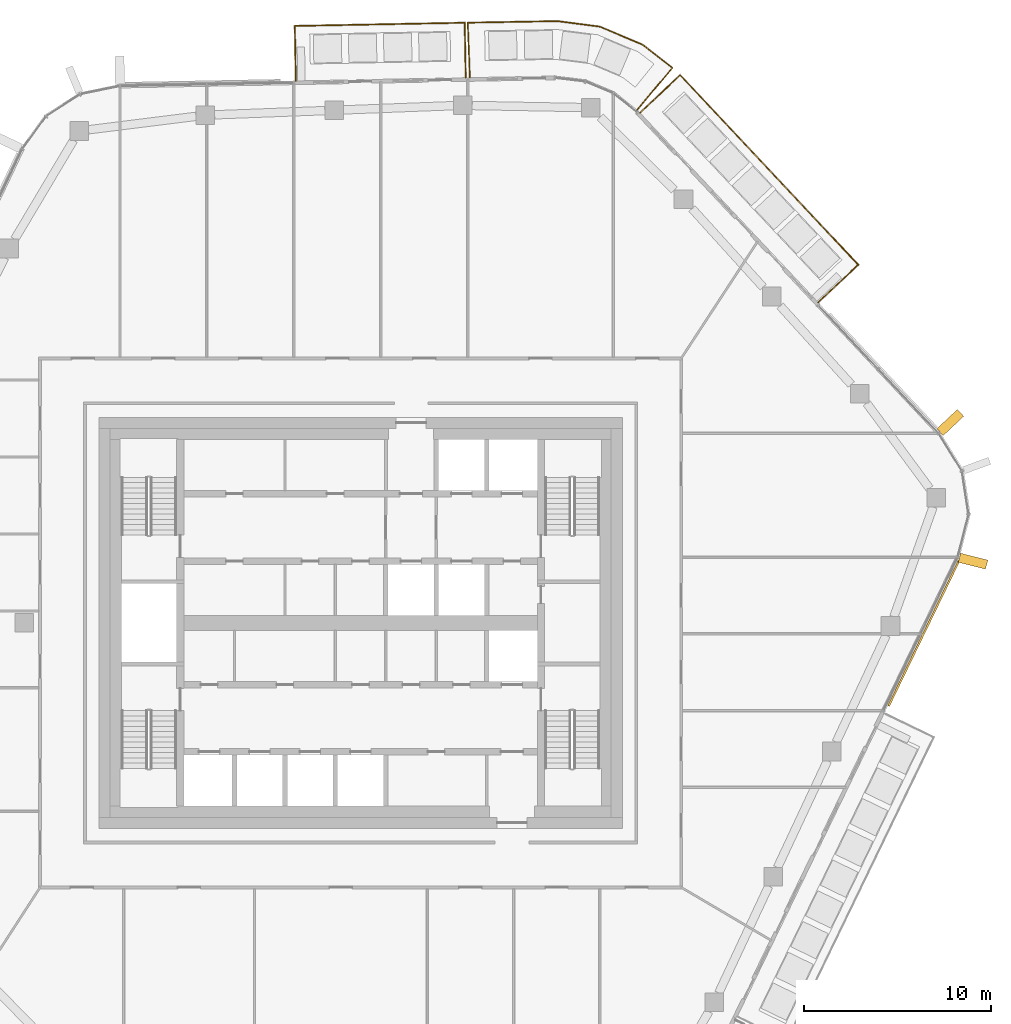
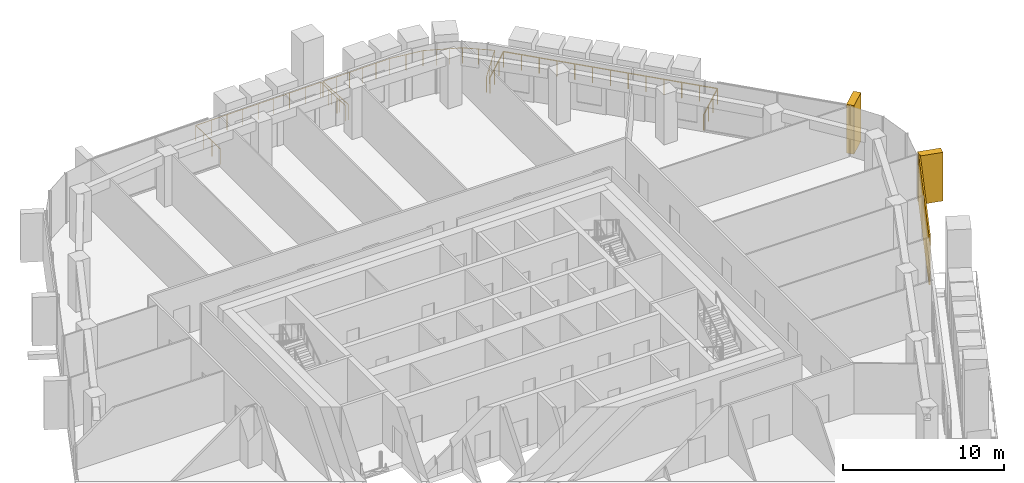
# One storey, part 24 of 24: 3 coverings, 3 railings, 3 elements without a shape of their own.
"""IFC4 building model written with IfcOpenShell, lengths in metres."""

from ifc_helpers import new_model, si_unit, direction, frame, origin, origin_2d, place, context, subcontext, project, spatial, rectangle, circle, extrude, material, layer, layer_set, material_profile, profile_set, type_object, element, aggregate, save


model = new_model("IFC4")

# Units and contexts
model_context = context("Model", 3, precision=1e-05, world=origin(), true_north=direction((0.0, 1.0)))
body_context = subcontext(model_context, "Body", "Model", "MODEL_VIEW")
ifc_project = project(units=[si_unit("LENGTHUNIT", "METRE"), si_unit("AREAUNIT", "SQUARE_METRE"), si_unit("VOLUMEUNIT", "CUBIC_METRE"), si_unit("PLANEANGLEUNIT", "RADIAN"), si_unit("MASSUNIT", "GRAM", prefix="KILO")], contexts=[model_context])

# Site, building, storey
site_placement = place(None, origin())
site = spatial("IfcSite", under=ifc_project, at=site_placement, CompositionType="ELEMENT")
building_placement = place(site_placement, origin())
building = spatial("IfcBuilding", under=site, at=building_placement, Name="Dongbaek Canopy Tower", CompositionType="ELEMENT")
storey_placement = place(building_placement, frame((0.0, 0.0, 302.60009765625)))
storey = spatial("IfcBuildingStorey", under=building, at=storey_placement, Name="L64", CompositionType="ELEMENT", Elevation=302.60009765625)

# Railings
ifc_material_1 = material(Name="Stainless steel", Category="steel")
railing_type = type_object("IfcRailingType", Name="Balcony balustrade 1200", PredefinedType="BALUSTRADE", material=ifc_material_1)
railing_1_placement = place(storey_placement, frame((24.47998046875, 17.14892578125, 0.0)))
element("IfcRailing", 1, at=railing_1_placement, inside=storey, type_object=railing_type, Name="Balcony guard L64 1", PredefinedType="BALUSTRADE", context=body_context, shape_type="SweptSolid", body=[
    extrude(circle(Radius=0.02392578125, at=origin_2d()), frame((0.0, 0.0, 1.17578125), z_axis=(0.728728771938, 0.684802436437, 0.0), x_axis=(-0.684802436437, 0.728728771938, 0.0)), (0.0, 0.0, 1.0), 2.940185546875),
    extrude(circle(Radius=0.02392578125, at=origin_2d()), frame((2.142578125, 2.013427734375, 1.17578125), z_axis=(-0.684839226649, 0.728694197618, 0.0), x_axis=(-0.728694197618, -0.684839226649, 0.0)), (0.0, 0.0, 1.0), 13.91748046875),
    extrude(circle(Radius=0.02392578125, at=origin_2d()), frame((-7.388671875, 12.155029296875, 1.17578125), z_axis=(-0.728731270037, -0.684799778088, 0.0), x_axis=(0.684799778088, -0.728731270037, 0.0)), (0.0, 0.0, 1.0), 2.939697265625),
    extrude(circle(Radius=0.02099609375, at=origin_2d()), origin(), (0.0, 0.0, 1.0), 1.15185546875),
    extrude(circle(Radius=0.02099609375, at=origin_2d()), frame((0.714111328125, 0.671142578125, 0.0)), (0.0, 0.0, 1.0), 1.15185546875),
    extrude(circle(Radius=0.02099609375, at=origin_2d()), frame((1.428466796875, 1.34228515625, 0.0)), (0.0, 0.0, 1.0), 1.15185546875),
    extrude(circle(Radius=0.02099609375, at=origin_2d()), frame((2.142578125, 2.013427734375, 0.0)), (0.0, 0.0, 1.0), 1.15185546875),
    extrude(circle(Radius=0.02099609375, at=origin_2d()), frame((1.348388671875, 2.858642578125, 0.0)), (0.0, 0.0, 1.0), 1.15185546875),
    extrude(circle(Radius=0.02099609375, at=origin_2d()), frame((0.553955078125, 3.70361328125, 0.0)), (0.0, 0.0, 1.0), 1.15185546875),
    extrude(circle(Radius=0.02099609375, at=origin_2d()), frame((-0.240234375, 4.548828125, 0.0)), (0.0, 0.0, 1.0), 1.15185546875),
    extrude(circle(Radius=0.02099609375, at=origin_2d()), frame((-1.034423828125, 5.39404296875, 0.0)), (0.0, 0.0, 1.0), 1.15185546875),
    extrude(circle(Radius=0.02099609375, at=origin_2d()), frame((-1.828857421875, 6.239013671875, 0.0)), (0.0, 0.0, 1.0), 1.15185546875),
    extrude(circle(Radius=0.02099609375, at=origin_2d()), frame((-2.623046875, 7.084228515625, 0.0)), (0.0, 0.0, 1.0), 1.15185546875),
    extrude(circle(Radius=0.02099609375, at=origin_2d()), frame((-3.417236328125, 7.929443359375, 0.0)), (0.0, 0.0, 1.0), 1.15185546875),
    extrude(circle(Radius=0.02099609375, at=origin_2d()), frame((-4.211669921875, 8.7744140625, 0.0)), (0.0, 0.0, 1.0), 1.15185546875),
    extrude(circle(Radius=0.02099609375, at=origin_2d()), frame((-5.005859375, 9.61962890625, 0.0)), (0.0, 0.0, 1.0), 1.15185546875),
    extrude(circle(Radius=0.02099609375, at=origin_2d()), frame((-5.800048828125, 10.46484375, 0.0)), (0.0, 0.0, 1.0), 1.15185546875),
    extrude(circle(Radius=0.02099609375, at=origin_2d()), frame((-6.594482421875, 11.309814453125, 0.0)), (0.0, 0.0, 1.0), 1.15185546875),
    extrude(circle(Radius=0.02099609375, at=origin_2d()), frame((-7.388671875, 12.155029296875, 0.0)), (0.0, 0.0, 1.0), 1.15185546875),
    extrude(circle(Radius=0.02099609375, at=origin_2d()), frame((-8.102783203125, 11.48388671875, 0.0)), (0.0, 0.0, 1.0), 1.15185546875),
    extrude(circle(Radius=0.02099609375, at=origin_2d()), frame((-8.81689453125, 10.81298828125, 0.0)), (0.0, 0.0, 1.0), 1.15185546875),
    extrude(circle(Radius=0.02099609375, at=origin_2d()), frame((-9.531005859375, 10.141845703125, 0.0)), (0.0, 0.0, 1.0), 1.15185546875),
])
railing_2_placement = place(storey_placement, frame((5.623046875, 29.170654296875, 0.0)))
element("IfcRailing", 2, at=railing_2_placement, inside=storey, type_object=railing_type, Name="Balcony guard L64 2", PredefinedType="BALUSTRADE", context=body_context, shape_type="SweptSolid", body=[
    extrude(circle(Radius=0.02392578125, at=origin_2d()), frame((0.0, 0.0, 1.17578125), z_axis=(-0.018933482557, 0.999820745553, 0.0), x_axis=(-0.999820745553, -0.018933482557, 0.0)), (0.0, 0.0, 1.0), 2.93994140625),
    extrude(circle(Radius=0.02392578125, at=origin_2d()), frame((-0.0556640625, 2.939453125, 1.17578125), z_axis=(-0.999821282881, -0.018905086569, 0.0), x_axis=(0.018905086569, -0.999821282881, 0.0)), (0.0, 0.0, 1.0), 9.091552734375),
    extrude(circle(Radius=0.02392578125, at=origin_2d()), frame((-9.1455078125, 2.767578125, 1.17578125), z_axis=(0.018933482557, -0.999820745553, 0.0), x_axis=(0.999820745553, 0.018933482557, 0.0)), (0.0, 0.0, 1.0), 2.93994140625),
    extrude(circle(Radius=0.02099609375, at=origin_2d()), origin(), (0.0, 0.0, 1.0), 1.15185546875),
    extrude(circle(Radius=0.02099609375, at=origin_2d()), frame((-0.0185546875, 0.979736328125, 0.0)), (0.0, 0.0, 1.0), 1.15185546875),
    extrude(circle(Radius=0.02099609375, at=origin_2d()), frame((-0.037109375, 1.959716796875, 0.0)), (0.0, 0.0, 1.0), 1.15185546875),
    extrude(circle(Radius=0.02099609375, at=origin_2d()), frame((-0.0556640625, 2.939453125, 0.0)), (0.0, 0.0, 1.0), 1.15185546875),
    extrude(circle(Radius=0.02099609375, at=origin_2d()), frame((-1.19189453125, 2.91796875, 0.0)), (0.0, 0.0, 1.0), 1.15185546875),
    extrude(circle(Radius=0.02099609375, at=origin_2d()), frame((-2.328125, 2.896484375, 0.0)), (0.0, 0.0, 1.0), 1.15185546875),
    extrude(circle(Radius=0.02099609375, at=origin_2d()), frame((-3.46435546875, 2.875, 0.0)), (0.0, 0.0, 1.0), 1.15185546875),
    extrude(circle(Radius=0.02099609375, at=origin_2d()), frame((-4.6005859375, 2.853515625, 0.0)), (0.0, 0.0, 1.0), 1.15185546875),
    extrude(circle(Radius=0.02099609375, at=origin_2d()), frame((-5.73681640625, 2.83203125, 0.0)), (0.0, 0.0, 1.0), 1.15185546875),
    extrude(circle(Radius=0.02099609375, at=origin_2d()), frame((-6.873046875, 2.810546875, 0.0)), (0.0, 0.0, 1.0), 1.15185546875),
    extrude(circle(Radius=0.02099609375, at=origin_2d()), frame((-8.00927734375, 2.7890625, 0.0)), (0.0, 0.0, 1.0), 1.15185546875),
    extrude(circle(Radius=0.02099609375, at=origin_2d()), frame((-9.1455078125, 2.767578125, 0.0)), (0.0, 0.0, 1.0), 1.15185546875),
    extrude(circle(Radius=0.02099609375, at=origin_2d()), frame((-9.126953125, 1.787841796875, 0.0)), (0.0, 0.0, 1.0), 1.15185546875),
    extrude(circle(Radius=0.02099609375, at=origin_2d()), frame((-9.1083984375, 0.807861328125, 0.0)), (0.0, 0.0, 1.0), 1.15185546875),
    extrude(circle(Radius=0.02099609375, at=origin_2d()), frame((-9.08984375, -0.171875, 0.0)), (0.0, 0.0, 1.0), 1.15185546875),
])
railing_3_placement = place(storey_placement, frame((14.787841796875, 27.439697265625, 0.0)))
element("IfcRailing", 3, at=railing_3_placement, inside=storey, type_object=railing_type, Name="Balcony guard L64 6", PredefinedType="BALUSTRADE", context=body_context, shape_type="SweptSolid", body=[
    extrude(circle(Radius=0.02392578125, at=origin_2d()), frame((0.0, 0.0, 1.17578125), z_axis=(0.642411003092, 0.766360295883, 0.0), x_axis=(-0.766360295883, 0.642411003092, 0.0)), (0.0, 0.0, 1.0), 2.940673828125),
    extrude(circle(Radius=0.02392578125, at=origin_2d()), frame((1.88916015625, 2.253662109375, 1.17578125), z_axis=(-0.788090218585, 0.615559751259, 0.0), x_axis=(-0.615559751259, -0.788090218585, 0.0)), (0.0, 0.0, 1.0), 2.0234375),
    extrude(circle(Radius=0.02392578125, at=origin_2d()), frame((0.29443359375, 3.499267578125, 1.17578125), z_axis=(-0.921550156042, 0.388259333306, 0.0), x_axis=(-0.388259333306, -0.921550156042, 0.0)), (0.0, 0.0, 1.0), 2.481201171875),
    extrude(circle(Radius=0.02392578125, at=origin_2d()), frame((-1.9921875, 4.462646484375, 1.17578125), z_axis=(-0.991597422728, 0.129362093518, 0.0), x_axis=(-0.129362093518, -0.991597422728, 0.0)), (0.0, 0.0, 1.0), 2.27783203125),
    extrude(circle(Radius=0.02392578125, at=origin_2d()), frame((-4.2509765625, 4.75732421875, 1.17578125), z_axis=(-0.999848444694, -0.017409412484, 0.0), x_axis=(0.017409412484, -0.999848444694, 0.0)), (0.0, 0.0, 1.0), 4.81005859375),
    extrude(circle(Radius=0.02392578125, at=origin_2d()), frame((-9.060302734375, 4.673583984375, 1.17578125), z_axis=(0.039268459081, -0.999228696606, 0.0), x_axis=(0.999228696606, 0.039268459081, 0.0)), (0.0, 0.0, 1.0), 2.940673828125),
    extrude(circle(Radius=0.02099609375, at=origin_2d()), origin(), (0.0, 0.0, 1.0), 1.15185546875),
    extrude(circle(Radius=0.02099609375, at=origin_2d()), frame((0.629638671875, 0.751220703125, 0.0)), (0.0, 0.0, 1.0), 1.15185546875),
    extrude(circle(Radius=0.02099609375, at=origin_2d()), frame((1.259521484375, 1.50244140625, 0.0)), (0.0, 0.0, 1.0), 1.15185546875),
    extrude(circle(Radius=0.02099609375, at=origin_2d()), frame((1.88916015625, 2.253662109375, 0.0)), (0.0, 0.0, 1.0), 1.15185546875),
    extrude(circle(Radius=0.02099609375, at=origin_2d()), frame((1.091796875, 2.87646484375, 0.0)), (0.0, 0.0, 1.0), 1.15185546875),
    extrude(circle(Radius=0.02099609375, at=origin_2d()), frame((0.29443359375, 3.499267578125, 0.0)), (0.0, 0.0, 1.0), 1.15185546875),
    extrude(circle(Radius=0.02099609375, at=origin_2d()), frame((-0.4677734375, 3.8203125, 0.0)), (0.0, 0.0, 1.0), 1.15185546875),
    extrude(circle(Radius=0.02099609375, at=origin_2d()), frame((-1.22998046875, 4.1416015625, 0.0)), (0.0, 0.0, 1.0), 1.15185546875),
    extrude(circle(Radius=0.02099609375, at=origin_2d()), frame((-1.9921875, 4.462646484375, 0.0)), (0.0, 0.0, 1.0), 1.15185546875),
    extrude(circle(Radius=0.02099609375, at=origin_2d()), frame((-3.12158203125, 4.60986328125, 0.0)), (0.0, 0.0, 1.0), 1.15185546875),
    extrude(circle(Radius=0.02099609375, at=origin_2d()), frame((-4.2509765625, 4.75732421875, 0.0)), (0.0, 0.0, 1.0), 1.15185546875),
    extrude(circle(Radius=0.02099609375, at=origin_2d()), frame((-5.212890625, 4.740478515625, 0.0)), (0.0, 0.0, 1.0), 1.15185546875),
    extrude(circle(Radius=0.02099609375, at=origin_2d()), frame((-6.1748046875, 4.723876953125, 0.0)), (0.0, 0.0, 1.0), 1.15185546875),
    extrude(circle(Radius=0.02099609375, at=origin_2d()), frame((-7.136474609375, 4.70703125, 0.0)), (0.0, 0.0, 1.0), 1.15185546875),
    extrude(circle(Radius=0.02099609375, at=origin_2d()), frame((-8.098388671875, 4.6904296875, 0.0)), (0.0, 0.0, 1.0), 1.15185546875),
    extrude(circle(Radius=0.02099609375, at=origin_2d()), frame((-9.060302734375, 4.673583984375, 0.0)), (0.0, 0.0, 1.0), 1.15185546875),
    extrude(circle(Radius=0.02099609375, at=origin_2d()), frame((-9.021728515625, 3.694091796875, 0.0)), (0.0, 0.0, 1.0), 1.15185546875),
    extrude(circle(Radius=0.02099609375, at=origin_2d()), frame((-8.9833984375, 2.714599609375, 0.0)), (0.0, 0.0, 1.0), 1.15185546875),
    extrude(circle(Radius=0.02099609375, at=origin_2d()), frame((-8.94482421875, 1.735107421875, 0.0)), (0.0, 0.0, 1.0), 1.15185546875),
])

# Curtain wall, covering
ifc_material_2 = material(Name="Aluminium 6063-T6 pale anodised", Category="aluminium")
ifc_layer_1 = layer(ifc_material_2, 0.199951171875)
ifc_layer_set_1 = layer_set([ifc_layer_1], Name="CW-1 unitised tower curtain wall")
curtain_wall_type = type_object("IfcCurtainWallType", Name="CW-1 unitised tower curtain wall", PredefinedType="NOTDEFINED", material=ifc_layer_set_1)
curtain_wall_1_placement = place(storey_placement, origin())
curtain_wall_1 = element("IfcCurtainWall", 4, at=curtain_wall_1_placement, inside=storey, type_object=curtain_wall_type, Name="CW-1 curtain wall F5.1", PredefinedType="NOTDEFINED")
ifc_material_3 = material(Name="Perforated aluminium 6063-T6 pale metal screen", Category="aluminium")
ifc_layer_2 = layer(ifc_material_3, 0.10009765625)
ifc_layer_set_2 = layer_set([ifc_layer_2], Name="Facet screen FS1 100 pale metal")
covering_type_1 = type_object("IfcCoveringType", Name="Facet screen FS1 100 pale metal", PredefinedType="CLADDING", material=ifc_layer_set_2)
covering_1_placement = place(storey_placement, frame((30.13720703125, -0.552978515625, 0.0), z_axis=(0.0, 0.0, 1.0), x_axis=(0.435862675975, 0.900013181955, 0.0)))
covering_1 = element("IfcCovering", 5, at=covering_1_placement, type_object=covering_type_1, Name="Facet screen L64 F5", PredefinedType="CLADDING", context=body_context, shape_type="SweptSolid", body=[
    extrude(rectangle(XDim=8.6494140625, YDim=0.10009765625, at=origin_2d()), origin(), (0.0, 0.0, 1.0), 3.820068359375),
])
aggregate(curtain_wall_1, [covering_1])

curtain_wall_2_placement = place(storey_placement, origin())
curtain_wall_2 = element("IfcCurtainWall", 6, at=curtain_wall_2_placement, inside=storey, type_object=curtain_wall_type, Name="CW-1 curtain wall K0.1", PredefinedType="NOTDEFINED")
ifc_material_4 = material(Name="Aluminium 6063-T6 pale metal fin", Category="aluminium")
ifc_material_profile = material_profile(ifc_material_4, rectangle(XDim=1.5, YDim=0.5, at=origin_2d()), Name="Fin FN1 500 x 1500 pale metal")
ifc_profile_set = profile_set([ifc_material_profile], Name="Aluminium 6063-T6 pale metal fin")
covering_type_2 = type_object("IfcCoveringType", Name="Fin FN1 500 x 1500 pale metal", PredefinedType="CLADDING", material=ifc_profile_set)
covering_2_placement = place(storey_placement, frame((32.766845703125, 3.30078125, 0.119873046875), z_axis=(0.0, 0.0, 1.0), x_axis=(0.968887047372, -0.247503311967, 0.0)))
covering_2 = element("IfcCovering", 7, at=covering_2_placement, type_object=covering_type_2, Name="Fin K0.1.1", PredefinedType="CLADDING", context=body_context, shape_type="SweptSolid", body=[
    extrude(rectangle(XDim=1.5, YDim=0.5, at=origin_2d()), origin(), (0.0, 0.0, 1.0), 3.699951171875),
])
aggregate(curtain_wall_2, [covering_2])

curtain_wall_3_placement = place(storey_placement, origin())
curtain_wall_3 = element("IfcCurtainWall", 8, at=curtain_wall_3_placement, inside=storey, type_object=curtain_wall_type, Name="CW-1 curtain wall F0.1", PredefinedType="NOTDEFINED")
covering_3_placement = place(storey_placement, frame((31.549560546875, 10.7216796875, 0.119873046875), z_axis=(0.0, 0.0, 1.0), x_axis=(0.728702280393, 0.684830626177, 0.0)))
covering_3 = element("IfcCovering", 9, at=covering_3_placement, type_object=covering_type_2, Name="Fin F0.1.1", PredefinedType="CLADDING", context=body_context, shape_type="SweptSolid", body=[
    extrude(rectangle(XDim=1.5, YDim=0.5, at=origin_2d()), origin(), (0.0, 0.0, 1.0), 3.699951171875),
])
aggregate(curtain_wall_3, [covering_3])

save(model, "model.ifc")
